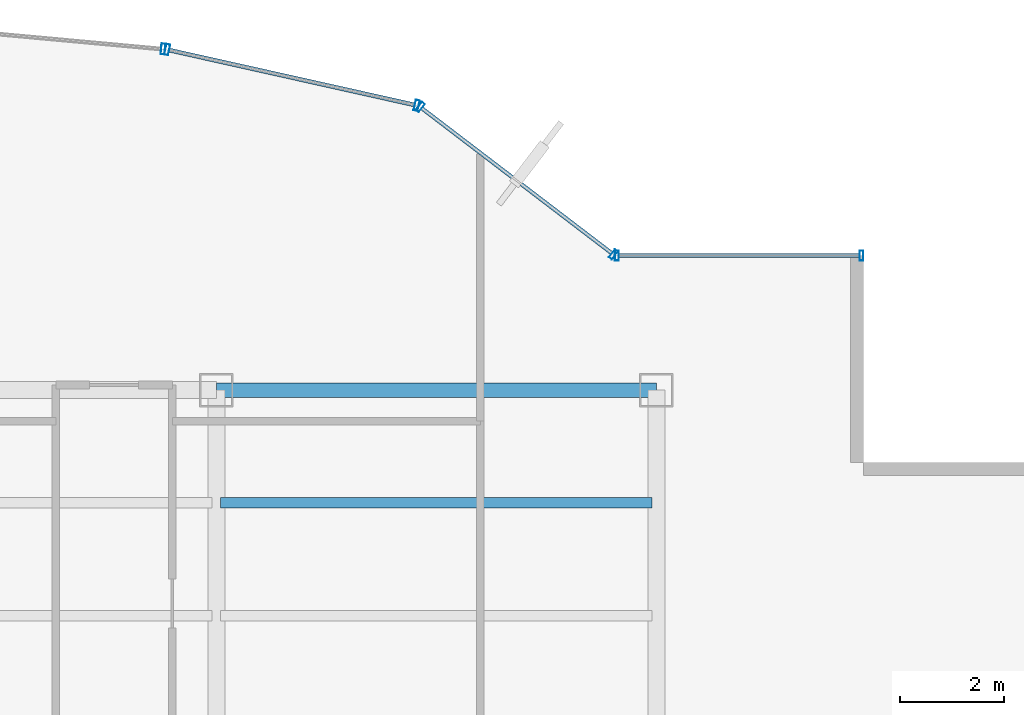
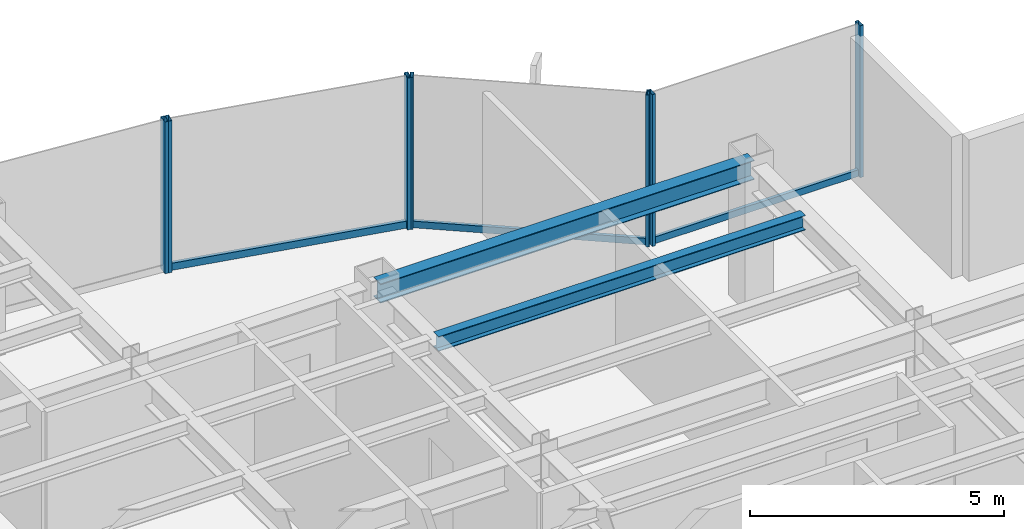
# One storey, part 17 of 25: 10 members, 2 beams, 4 elements without a shape of their own.
"""IFC4 building model written with IfcOpenShell, lengths in metres."""

from ifc_helpers import new_model, si_unit, derived_unit, direction, frame, origin, origin_2d, place, context, subcontext, project, spatial, hollow_rectangle, i_section, extrude, source, transform, mapped, material, material_profile, profile_set, type_object, element, aggregate, save


model = new_model("IFC4")

# Units and contexts
model_context = context("Model", 3, precision=1e-05, world=origin(), true_north=direction((0.0, 1.0)))
body_context = subcontext(model_context, "Body", "Model", "MODEL_VIEW")
ifc_project = project(units=[si_unit("LENGTHUNIT", "METRE"), si_unit("AREAUNIT", "SQUARE_METRE"), si_unit("VOLUMEUNIT", "CUBIC_METRE"), si_unit("PLANEANGLEUNIT", "RADIAN"), si_unit("MASSUNIT", "GRAM", prefix="KILO"), derived_unit("THERMALTRANSMITTANCEUNIT", [(si_unit("POWERUNIT", "WATT"), 1), (si_unit("LENGTHUNIT", "METRE"), -2), (si_unit("THERMODYNAMICTEMPERATUREUNIT", "KELVIN"), -1)])], contexts=[model_context])

# Site, building, storey
site_placement = place(None, origin())
site = spatial("IfcSite", under=ifc_project, at=site_placement, CompositionType="ELEMENT")
building_placement = place(site_placement, origin())
building = spatial("IfcBuilding", under=site, at=building_placement, Name="Skarnbrae Concourse Arena and Tower", CompositionType="ELEMENT")
storey_placement = place(building_placement, frame((0.0, 0.0, 166.14990234375)))
storey = spatial("IfcBuildingStorey", under=building, at=storey_placement, Name="L42", CompositionType="ELEMENT", Elevation=166.14990234375)

# Beams
ifc_material_1 = material(Name="Steel CSA G40.21 350W", Category="steel")
ifc_material_profile_1 = material_profile(ifc_material_1, i_section(OverallWidth=0.280029296875, OverallDepth=0.462890625, WebThickness=0.0107421875, FlangeThickness=0.017333984375, at=origin_2d()), Name="W460X113")
ifc_profile_set_1 = profile_set([ifc_material_profile_1], Name="Steel CSA G40.21 350W")
beam_type_1 = type_object("IfcBeamType", Name="BM-SPAN-W460X113", PredefinedType="SPANDREL", material=ifc_profile_set_1)
shared_shape_1 = source(origin(), body_context, "Body", "SweptSolid", [
    extrude(i_section(OverallWidth=0.280029296875, OverallDepth=0.462890625, WebThickness=0.0107421875, FlangeThickness=0.017333984375, at=origin_2d()), origin(), (0.0, 0.0, 1.0), 8.5),
])
beam_1_placement = place(storey_placement, frame((33.5, 34.39990234375, 3.168701171875), z_axis=(1.0, 0.0, 0.0), x_axis=(0.0, 1.0, 0.0)))
element("IfcBeam", 1, at=beam_1_placement, inside=storey, type_object=beam_type_1, Name="L42 Perimeter spandrel Y34.4-5", PredefinedType="SPANDREL", context=body_context, shape_type="MappedRepresentation", body=[
    mapped(shared_shape_1, transform((0.0, 0.0, 0.0))),
])
ifc_material_profile_2 = material_profile(ifc_material_1, i_section(OverallWidth=0.205078125, OverallDepth=0.35400390625, WebThickness=0.009521484375, FlangeThickness=0.016845703125, at=origin_2d()), Name="W360X79")
ifc_profile_set_2 = profile_set([ifc_material_profile_2], Name="Steel CSA G40.21 350W")
beam_type_2 = type_object("IfcBeamType", Name="BM-JOIST-W360X79", PredefinedType="JOIST", material=ifc_profile_set_2)
shared_shape_2 = source(origin(), body_context, "Body", "SweptSolid", [
    extrude(i_section(OverallWidth=0.205078125, OverallDepth=0.35400390625, WebThickness=0.009521484375, FlangeThickness=0.016845703125, at=origin_2d()), origin(), (0.0, 0.0, 1.0), 8.33984375),
])
beam_2_placement = place(storey_placement, frame((33.580078125, 32.221923828125, 3.22314453125), z_axis=(1.0, 0.0, 0.0), x_axis=(0.0, 1.0, 0.0)))
element("IfcBeam", 2, at=beam_2_placement, inside=storey, type_object=beam_type_2, Name="L42 Secondary floor joist 3.2.5", PredefinedType="JOIST", context=body_context, shape_type="MappedRepresentation", body=[
    mapped(shared_shape_2, transform((0.0, 0.0, 0.0))),
])

# Curtain wall, members
ifc_material_2 = material(Name="Bronze anodised aluminium 6063-T6", Category="aluminium")
curtain_wall_type_1 = type_object("IfcCurtainWallType", Name="CW-SYS-03-PORTAL", PredefinedType="USERDEFINED", material=ifc_material_2)
curtain_wall_1_placement = place(storey_placement, origin())
curtain_wall_1 = element("IfcCurtainWall", 3, at=curtain_wall_1_placement, inside=storey, type_object=curtain_wall_type_1, Name="L42 Unitised curtain wall CW-L42-E09", ObjectType="UNITISED CURTAIN WALL", PredefinedType="USERDEFINED")
ifc_material_profile_3 = material_profile(ifc_material_2, hollow_rectangle(XDim=0.080078125, YDim=0.2099609375, WallThickness=0.00439453125, at=origin_2d()), Name="ALU-MULL-80X210")
ifc_profile_set_3 = profile_set([ifc_material_profile_3], Name="Bronze anodised aluminium 6063-T6")
member_type_1 = type_object("IfcMemberType", Name="CWM-CW-03", PredefinedType="MULLION", material=ifc_profile_set_3)
shared_shape_3 = source(origin(), body_context, "Body", "SweptSolid", [
    extrude(hollow_rectangle(XDim=0.080078125, YDim=0.2099609375, WallThickness=0.00439453125, at=origin_2d()), origin(), (0.0, 0.0, 1.0), 3.650146484375),
])
member_1_placement = place(storey_placement, frame((37.37060546875, 39.9013671875, 0.0), z_axis=(0.0, 0.0, 1.0), x_axis=(-0.975936175393, 0.218056372433, 0.0)))
member_1 = element("IfcMember", 4, at=member_1_placement, type_object=member_type_1, Name="CW-L42-E09 Mullion 1", PredefinedType="MULLION", context=body_context, shape_type="MappedRepresentation", body=[
    mapped(shared_shape_3, transform((0.0, 0.0, 0.0))),
])
member_2_placement = place(storey_placement, frame((32.55126953125, 40.978271484375, 0.0), z_axis=(0.0, 0.0, 1.0), x_axis=(-0.975936175393, 0.218056372433, 0.0)))
member_2 = element("IfcMember", 5, at=member_2_placement, type_object=member_type_1, Name="CW-L42-E09 Mullion 2", PredefinedType="MULLION", context=body_context, shape_type="MappedRepresentation", body=[
    mapped(shared_shape_3, transform((0.0, 0.0, 0.0))),
])

# Curtain wall, member
curtain_wall_2_placement = place(storey_placement, origin())
curtain_wall_2 = element("IfcCurtainWall", 6, at=curtain_wall_2_placement, inside=storey, type_object=curtain_wall_type_1, Name="L42 Unitised curtain wall CW-L42-E10", ObjectType="UNITISED CURTAIN WALL", PredefinedType="USERDEFINED")
member_3_placement = place(storey_placement, frame((32.472412109375, 40.990478515625, 0.0), z_axis=(0.0, 0.0, 1.0), x_axis=(-0.995819926016, 0.091338244731, 0.0)))
member_3 = element("IfcMember", 7, at=member_3_placement, type_object=member_type_1, Name="CW-L42-E10 Mullion 1", PredefinedType="MULLION", context=body_context, shape_type="MappedRepresentation", body=[
    mapped(shared_shape_3, transform((0.0, 0.0, 0.0))),
])
aggregate(curtain_wall_2, [member_3])

# Curtain wall, members
curtain_wall_type_2 = type_object("IfcCurtainWallType", Name="CW-SYS-04-MIDZONE", PredefinedType="USERDEFINED", material=ifc_material_2)
curtain_wall_3_placement = place(storey_placement, origin())
curtain_wall_3 = element("IfcCurtainWall", 8, at=curtain_wall_3_placement, inside=storey, type_object=curtain_wall_type_2, Name="L42 Unitised curtain wall CW-L42-E07", ObjectType="UNITISED CURTAIN WALL", PredefinedType="USERDEFINED")
ifc_material_profile_4 = material_profile(ifc_material_2, hollow_rectangle(XDim=0.074951171875, YDim=0.195068359375, WallThickness=0.00439453125, at=origin_2d()), Name="ALU-MULL-75X195")
ifc_profile_set_4 = profile_set([ifc_material_profile_4], Name="Bronze anodised aluminium 6063-T6")
member_type_2 = type_object("IfcMemberType", Name="CWM-CW-04", PredefinedType="MULLION", material=ifc_profile_set_4)
shared_shape_4 = source(origin(), body_context, "Body", "SweptSolid", [
    extrude(hollow_rectangle(XDim=0.074951171875, YDim=0.195068359375, WallThickness=0.00439453125, at=origin_2d()), origin(), (0.0, 0.0, 1.0), 3.650146484375),
])
member_4_placement = place(storey_placement, frame((45.96240234375, 37.0, 0.0), z_axis=(0.0, 0.0, 1.0), x_axis=(-1.0, 0.0, 0.0)))
member_4 = element("IfcMember", 9, at=member_4_placement, type_object=member_type_2, Name="CW-L42-E07 Mullion 1", PredefinedType="MULLION", context=body_context, shape_type="MappedRepresentation", body=[
    mapped(shared_shape_4, transform((0.0, 0.0, 0.0))),
])
member_5_placement = place(storey_placement, frame((41.237548828125, 37.0, 0.0), z_axis=(0.0, 0.0, 1.0), x_axis=(-1.0, 0.0, 0.0)))
member_5 = element("IfcMember", 10, at=member_5_placement, type_object=member_type_2, Name="CW-L42-E07 Mullion 2", PredefinedType="MULLION", context=body_context, shape_type="MappedRepresentation", body=[
    mapped(shared_shape_4, transform((0.0, 0.0, 0.0))),
])

curtain_wall_4_placement = place(storey_placement, origin())
curtain_wall_4 = element("IfcCurtainWall", 11, at=curtain_wall_4_placement, inside=storey, type_object=curtain_wall_type_2, Name="L42 Unitised curtain wall CW-L42-E08", ObjectType="UNITISED CURTAIN WALL", PredefinedType="USERDEFINED")
member_6_placement = place(storey_placement, frame((41.170166015625, 37.022705078125, 0.0), z_axis=(0.0, 0.0, 1.0), x_axis=(-0.794956000706, 0.606667089054, 0.0)))
member_6 = element("IfcMember", 12, at=member_6_placement, type_object=member_type_2, Name="CW-L42-E08 Mullion 1", PredefinedType="MULLION", context=body_context, shape_type="MappedRepresentation", body=[
    mapped(shared_shape_4, transform((0.0, 0.0, 0.0))),
])
member_7_placement = place(storey_placement, frame((37.439208984375, 39.869873046875, 0.0), z_axis=(0.0, 0.0, 1.0), x_axis=(-0.794956000706, 0.606667089054, 0.0)))
member_7 = element("IfcMember", 13, at=member_7_placement, type_object=member_type_2, Name="CW-L42-E08 Mullion 2", PredefinedType="MULLION", context=body_context, shape_type="MappedRepresentation", body=[
    mapped(shared_shape_4, transform((0.0, 0.0, 0.0))),
])

# Member
ifc_material_profile_5 = material_profile(ifc_material_2, hollow_rectangle(XDim=0.074951171875, YDim=0.159912109375, WallThickness=0.00439453125, at=origin_2d()), Name="ALU-TRAN-75X160")
ifc_profile_set_5 = profile_set([ifc_material_profile_5], Name="Bronze anodised aluminium 6063-T6")
member_type_3 = type_object("IfcMemberType", Name="CWT-CW-04", PredefinedType="USERDEFINED", material=ifc_profile_set_5)
shared_shape_5 = source(origin(), body_context, "Body", "SweptSolid", [
    extrude(hollow_rectangle(XDim=0.074951171875, YDim=0.159912109375, WallThickness=0.00439453125, at=origin_2d()), origin(), (0.0, 0.0, 1.0), 4.650146484375),
])
member_8_placement = place(storey_placement, frame((45.925048828125, 37.0, 0.080078125), z_axis=(-1.0, 0.0, 0.0), x_axis=(0.0, -1.0, 0.0)))
member_8 = element("IfcMember", 14, at=member_8_placement, type_object=member_type_3, Name="CW-L42-E07 Transom 1", ObjectType="TRANSOM", PredefinedType="USERDEFINED", context=body_context, shape_type="MappedRepresentation", body=[
    mapped(shared_shape_5, transform((0.0, 0.0, 0.0))),
])

aggregate(curtain_wall_3, [member_4, member_5, member_8])

shared_shape_6 = source(origin(), body_context, "Body", "SweptSolid", [
    extrude(hollow_rectangle(XDim=0.074951171875, YDim=0.159912109375, WallThickness=0.00439453125, at=origin_2d()), origin(), (0.0, 0.0, 1.0), 4.618408203125),
])
member_9_placement = place(storey_placement, frame((41.140380859375, 37.04541015625, 0.080078125), z_axis=(-0.794960638756, 0.606661011462, 0.0), x_axis=(-0.606661011462, -0.794960638756, 0.0)))
member_9 = element("IfcMember", 15, at=member_9_placement, type_object=member_type_3, Name="CW-L42-E08 Transom 1", ObjectType="TRANSOM", PredefinedType="USERDEFINED", context=body_context, shape_type="MappedRepresentation", body=[
    mapped(shared_shape_6, transform((0.0, 0.0, 0.0))),
])

aggregate(curtain_wall_4, [member_6, member_7, member_9])

ifc_material_profile_6 = material_profile(ifc_material_2, hollow_rectangle(XDim=0.080078125, YDim=0.169921875, WallThickness=0.00439453125, at=origin_2d()), Name="ALU-TRAN-80X170")
ifc_profile_set_6 = profile_set([ifc_material_profile_6], Name="Bronze anodised aluminium 6063-T6")
member_type_4 = type_object("IfcMemberType", Name="CWT-CW-03", PredefinedType="USERDEFINED", material=ifc_profile_set_6)
shared_shape_7 = source(origin(), body_context, "Body", "SweptSolid", [
    extrude(hollow_rectangle(XDim=0.080078125, YDim=0.169921875, WallThickness=0.00439453125, at=origin_2d()), origin(), (0.0, 0.0, 1.0), 4.85791015625),
])
member_10_placement = place(storey_placement, frame((37.331298828125, 39.91015625, 0.085205078125), z_axis=(-0.975934527506, 0.21806374761, 0.0), x_axis=(-0.21806374761, -0.975934527506, 0.0)))
member_10 = element("IfcMember", 16, at=member_10_placement, type_object=member_type_4, Name="CW-L42-E09 Transom 1", ObjectType="TRANSOM", PredefinedType="USERDEFINED", context=body_context, shape_type="MappedRepresentation", body=[
    mapped(shared_shape_7, transform((0.0, 0.0, 0.0))),
])

aggregate(curtain_wall_1, [member_1, member_2, member_10])

save(model, "model.ifc")
